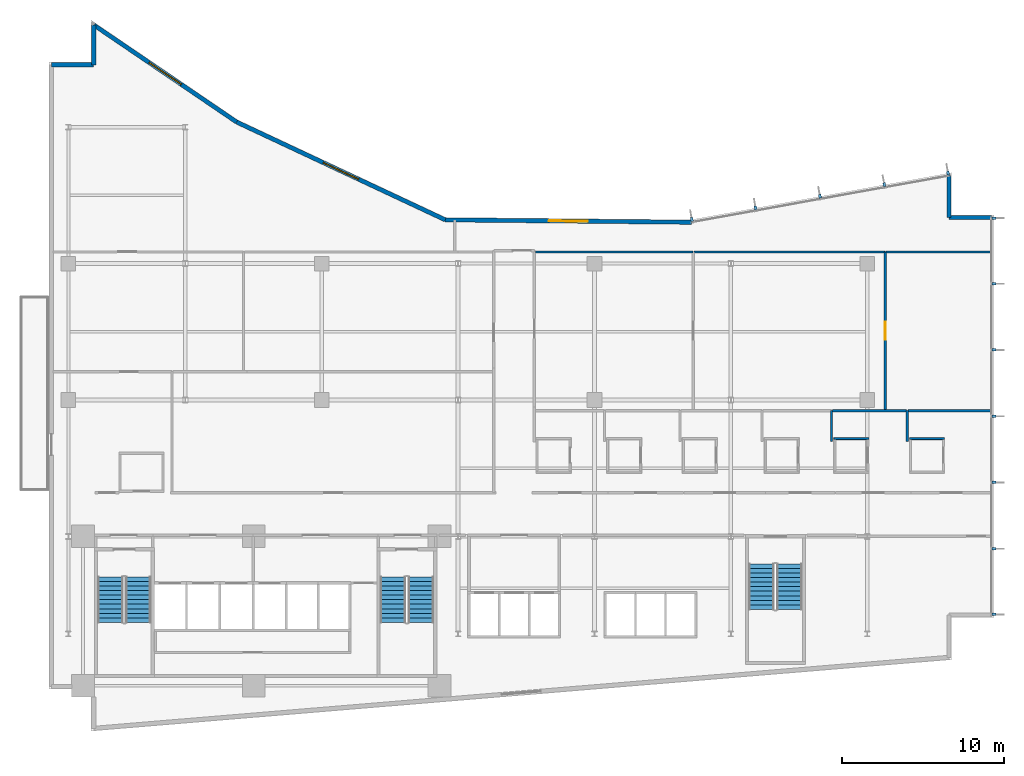
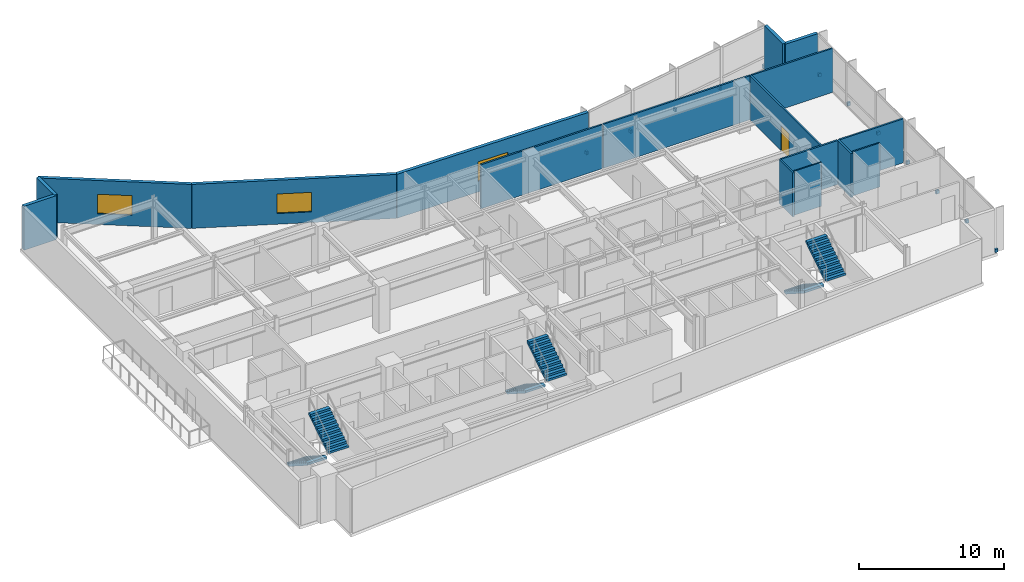
# One storey, part 15 of 19: 17 walls, 12 discrete accessories, 6 stair flights, 3 windows, 1 door, 4 openings, 3 elements without a shape of their own.
"""IFC4 building model written with IfcOpenShell, lengths in metres."""

from ifc_helpers import new_model, si_unit, direction, frame, frame_2d, origin, origin_2d, place, context, subcontext, project, spatial, polyline, rectangle, outline, extrude, material, layer, layer_set, type_object, element, fill, aggregate, save


model = new_model("IFC4")

# Units and contexts
model_context = context("Model", 3, precision=1e-05, world=origin(), true_north=direction((0.0, 1.0)))
body_context = subcontext(model_context, "Body", "Model", "MODEL_VIEW")
ifc_project = project(units=[si_unit("LENGTHUNIT", "METRE"), si_unit("AREAUNIT", "SQUARE_METRE"), si_unit("VOLUMEUNIT", "CUBIC_METRE"), si_unit("PLANEANGLEUNIT", "RADIAN"), si_unit("MASSUNIT", "GRAM", prefix="KILO")], contexts=[model_context])

# Site, building, storey
site_placement = place(None, origin())
site = spatial("IfcSite", under=ifc_project, at=site_placement, CompositionType="ELEMENT")
building_placement = place(site_placement, origin())
building = spatial("IfcBuilding", under=site, at=building_placement, Name="Varnakote Quay Hospital", CompositionType="ELEMENT")
storey_placement = place(building_placement, frame((0.0, 0.0, 85.699951171875)))
storey = spatial("IfcBuildingStorey", under=building, at=storey_placement, Name="L21", CompositionType="ELEMENT", Elevation=85.699951171875)

# Walls
ifc_material_1 = material(Name="Moisture-resistant bathroom partition", Category="gypsum")
ifc_layer_1 = layer(ifc_material_1, 0.114990234375)
ifc_layer_set_1 = layer_set([ifc_layer_1], Name="Moisture-resistant bathroom partition")
wall_type_1 = type_object("IfcWallType", Name="WL-ENS-115", PredefinedType="PARTITIONING", material=ifc_layer_set_1)
for number, where, z_axis, x_axis, name in (
    (1, (48.344970703125, 18.017578125, 0.0), (0.0, 0.0, 1.0), (1.0, 0.0, 0.0), "L21 Inpatient En-Suite Bathroom 05 N Wall"),
    (2, (53.0048828125, 18.017578125, 0.0), (0.0, 0.0, 1.0), (1.0, 0.0, 0.0), "L21 Inpatient En-Suite Bathroom 06 N Wall"),
):
    element("IfcWall", number, at=place(storey_placement, frame(where, z_axis=z_axis, x_axis=x_axis)), inside=storey, type_object=wall_type_1, Name=name, PredefinedType="PARTITIONING", context=body_context, shape_type="SweptSolid", body=[
        extrude(rectangle(XDim=2.150146484375, YDim=0.114990234375, at=frame_2d((1.0751953125, 0.0))), origin(), (0.0, 0.0, 1.0), 3.7099609375),
    ])
ifc_material_2 = material(Name="Precast concrete N50 (f'c 50 MPa)", Category="concrete")
ifc_layer_2 = layer(ifc_material_2, 0.260009765625)
ifc_layer_set_2 = layer_set([ifc_layer_2], Name="Precast concrete N50 (f'c 50 MPa)")
wall_type_2 = type_object("IfcWallType", Name="WL-EXT-BRICK-260", PredefinedType="STANDARD", material=ifc_layer_set_2)
wall_1_placement = place(storey_placement, frame((58.0400390625, 31.639892578125, 0.0), z_axis=(0.0, 0.0, 1.0), x_axis=(-1.0, 0.0, 0.0)))
element("IfcWall", 3, at=wall_1_placement, inside=storey, type_object=wall_type_2, Name="L21 Brick-Faced Precast Exterior Wall", PredefinedType="STANDARD", context=body_context, shape_type="SweptSolid", body=[
    extrude(rectangle(XDim=2.60009765625, YDim=0.260009765625, at=frame_2d((1.300048828125, 0.0))), origin(), (0.0, 0.0, 1.0), 3.7099609375),
])
wall_2_placement = place(storey_placement, frame((55.43994140625, 31.639892578125, 0.0), z_axis=(0.0, 0.0, 1.0), x_axis=(0.0, 1.0, 0.0)))
element("IfcWall", 4, at=wall_2_placement, inside=storey, type_object=wall_type_2, Name="L21 Brick-Faced Precast Exterior Wall", PredefinedType="STANDARD", context=body_context, shape_type="SweptSolid", body=[
    extrude(rectangle(XDim=2.568603515625, YDim=0.260009765625, at=frame_2d((1.2841796875, 0.0))), origin(), (0.0, 0.0, 1.0), 3.7099609375),
])

# Wall, opening, window
wall_3_placement = place(storey_placement, frame((39.589599609375, 31.343994140625, 0.0), z_axis=(0.0, 0.0, 1.0), x_axis=(-0.999952362926, 0.009760731435, 0.0)))
wall_3 = element("IfcWall", 5, at=wall_3_placement, inside=storey, type_object=wall_type_2, Name="L21 Brick-Faced Precast Exterior Wall", PredefinedType="STANDARD", context=body_context, shape_type="SweptSolid", body=[
    extrude(rectangle(XDim=15.1826171875, YDim=0.260009765625, at=frame_2d((7.59130859375, 0.0))), origin(), (0.0, 0.0, 1.0), 3.7099609375),
])
opening_1_placement = place(wall_3_placement, frame((6.391357421875, 0.0, 0.89990234375)))
opening_1 = element("IfcOpeningElement", 6, at=opening_1_placement, cuts=wall_3, Name="Opening WN-0099", PredefinedType="OPENING", context=body_context, shape_type="SweptSolid", body=[
    extrude(rectangle(XDim=2.39990234375, YDim=1.64990234375, at=frame_2d((1.199951171875, 0.824951171875))), frame((0.0, 0.139892578125, 0.0), z_axis=(0.0, -1.0, 0.0), x_axis=(1.0, 0.0, 0.0)), (0.0, 0.0, 1.0), 0.280029296875),
])
ifc_material_3 = material(Name="Double-glazed low-E solar glass", Category="glass")
window_type = type_object("IfcWindowType", Name="WIN-CLIN-2400x1650", PartitioningType="SINGLE_PANEL", PredefinedType="WINDOW", material=ifc_material_3)
window_1_placement = place(opening_1_placement, origin())
window_1 = element("IfcWindow", 7, at=window_1_placement, inside=storey, type_object=window_type, Name="L21 Solar-Control Clinical Window", OverallHeight=1.64990234375, OverallWidth=2.39990234375, PartitioningType="SINGLE_PANEL", PredefinedType="WINDOW", context=body_context, shape_type="SweptSolid", body=[
    extrude(rectangle(XDim=2.39990234375, YDim=1.64990234375, at=frame_2d((1.199951171875, 0.824951171875))), frame((0.0, 0.030029296875, 0.0), z_axis=(0.0, -1.0, 0.0), x_axis=(1.0, 0.0, 0.0)), (0.0, 0.0, 1.0), 0.06005859375),
])
fill(opening_1, window_1)

wall_4_placement = place(storey_placement, frame((24.40771484375, 31.4921875, 0.0), z_axis=(0.0, 0.0, 1.0), x_axis=(-0.905396522918, 0.424566998585, 0.0)))
wall_4 = element("IfcWall", 8, at=wall_4_placement, inside=storey, type_object=wall_type_2, Name="L21 Brick-Faced Precast Exterior Wall", PredefinedType="STANDARD", context=body_context, shape_type="SweptSolid", body=[
    extrude(rectangle(XDim=14.189453125, YDim=0.260009765625, at=frame_2d((7.0947265625, 0.0))), origin(), (0.0, 0.0, 1.0), 3.7099609375),
])
opening_2_placement = place(wall_4_placement, frame((5.894775390625, 0.0, 0.89990234375)))
opening_2 = element("IfcOpeningElement", 9, at=opening_2_placement, cuts=wall_4, Name="Opening WN-0100", PredefinedType="OPENING", context=body_context, shape_type="SweptSolid", body=[
    extrude(rectangle(XDim=2.39990234375, YDim=1.64990234375, at=frame_2d((1.199951171875, 0.824951171875))), frame((0.0, 0.139892578125, 0.0), z_axis=(0.0, -1.0, 0.0), x_axis=(1.0, 0.0, 0.0)), (0.0, 0.0, 1.0), 0.280029296875),
])
window_2_placement = place(opening_2_placement, origin())
window_2 = element("IfcWindow", 10, at=window_2_placement, inside=storey, type_object=window_type, Name="L21 Solar-Control Clinical Window", OverallHeight=1.64990234375, OverallWidth=2.39990234375, PartitioningType="SINGLE_PANEL", PredefinedType="WINDOW", context=body_context, shape_type="SweptSolid", body=[
    extrude(rectangle(XDim=2.39990234375, YDim=1.64990234375, at=frame_2d((1.199951171875, 0.824951171875))), frame((0.0, 0.030029296875, 0.0), z_axis=(0.0, -1.0, 0.0), x_axis=(1.0, 0.0, 0.0)), (0.0, 0.0, 1.0), 0.06005859375),
])
fill(opening_2, window_2)

wall_5_placement = place(storey_placement, frame((11.560546875, 37.5166015625, 0.0), z_axis=(0.0, 0.0, 1.0), x_axis=(-0.827064743936, 0.562106670782, 0.0)))
wall_5 = element("IfcWall", 11, at=wall_5_placement, inside=storey, type_object=wall_type_2, Name="L21 Brick-Faced Precast Exterior Wall", PredefinedType="STANDARD", context=body_context, shape_type="SweptSolid", body=[
    extrude(rectangle(XDim=10.640625, YDim=0.260009765625, at=frame_2d((5.3203125, 0.0))), origin(), (0.0, 0.0, 1.0), 3.7099609375),
])
opening_3_placement = place(wall_5_placement, frame((4.120361328125, 0.0, 0.89990234375)))
opening_3 = element("IfcOpeningElement", 12, at=opening_3_placement, cuts=wall_5, Name="Opening WN-0101", PredefinedType="OPENING", context=body_context, shape_type="SweptSolid", body=[
    extrude(rectangle(XDim=2.39990234375, YDim=1.64990234375, at=frame_2d((1.199951171875, 0.824951171875))), frame((0.0, 0.139892578125, 0.0), z_axis=(0.0, -1.0, 0.0), x_axis=(1.0, 0.0, 0.0)), (0.0, 0.0, 1.0), 0.280029296875),
])
window_3_placement = place(opening_3_placement, origin())
window_3 = element("IfcWindow", 13, at=window_3_placement, inside=storey, type_object=window_type, Name="L21 Solar-Control Clinical Window", OverallHeight=1.64990234375, OverallWidth=2.39990234375, PartitioningType="SINGLE_PANEL", PredefinedType="WINDOW", context=body_context, shape_type="SweptSolid", body=[
    extrude(rectangle(XDim=2.39990234375, YDim=1.64990234375, at=frame_2d((1.199951171875, 0.824951171875))), frame((0.0, 0.030029296875, 0.0), z_axis=(0.0, -1.0, 0.0), x_axis=(1.0, 0.0, 0.0)), (0.0, 0.0, 1.0), 0.06005859375),
])
fill(opening_3, window_3)

# Walls
wall_6_placement = place(storey_placement, frame((2.760009765625, 43.497802734375, 0.0), z_axis=(0.0, 0.0, 1.0), x_axis=(0.0, -1.0, 0.0)))
element("IfcWall", 14, at=wall_6_placement, inside=storey, type_object=wall_type_2, Name="L21 Brick-Faced Precast Exterior Wall", PredefinedType="STANDARD", context=body_context, shape_type="SweptSolid", body=[
    extrude(rectangle(XDim=2.457763671875, YDim=0.260009765625, at=frame_2d((1.22900390625, 0.0))), origin(), (0.0, 0.0, 1.0), 3.7099609375),
])
wall_7_placement = place(storey_placement, frame((2.760009765625, 41.0400390625, 0.0), z_axis=(0.0, 0.0, 1.0), x_axis=(-1.0, 0.0, 0.0)))
element("IfcWall", 15, at=wall_7_placement, inside=storey, type_object=wall_type_2, Name="L21 Brick-Faced Precast Exterior Wall", PredefinedType="STANDARD", context=body_context, shape_type="SweptSolid", body=[
    extrude(rectangle(XDim=2.60009765625, YDim=0.260009765625, at=frame_2d((1.300048828125, 0.0))), origin(), (0.0, 0.0, 1.0), 3.7099609375),
])
ifc_material_4 = material(Name="Smoke-proof clinical partition", Category="gypsum")
ifc_layer_3 = layer(ifc_material_4, 0.135009765625)
ifc_layer_set_3 = layer_set([ifc_layer_3], Name="Smoke-proof clinical partition")
wall_type_3 = type_object("IfcWallType", Name="WL-SMOKE-135", PredefinedType="PARTITIONING", material=ifc_layer_set_3)
for number, where, z_axis, x_axis, name in (
    (16, (48.199951171875, 17.83251953125, 0.0), (0.0, 0.0, 1.0), (0.0, 1.0, 0.0), "L21 Clinical Interior Partition"),
    (17, (52.860107421875, 17.83251953125, 0.0), (0.0, 0.0, 1.0), (0.0, 1.0, 0.0), "L21 Clinical Interior Partition"),
):
    element("IfcWall", number, at=place(storey_placement, frame(where, z_axis=z_axis, x_axis=x_axis)), inside=storey, type_object=wall_type_3, Name=name, PredefinedType="PARTITIONING", context=body_context, shape_type="SweptSolid", body=[
        extrude(rectangle(XDim=1.907470703125, YDim=0.135009765625, at=frame_2d((0.95361328125, 0.0))), origin(), (0.0, 0.0, 1.0), 3.7099609375),
    ])
wall_8_placement = place(storey_placement, frame((52.802490234375, 19.739990234375, 0.0), z_axis=(0.0, 0.0, 1.0), x_axis=(-1.0, 0.0, 0.0)))
element("IfcWall", 18, at=wall_8_placement, inside=storey, type_object=wall_type_3, Name="L21 Clinical Interior Partition", PredefinedType="PARTITIONING", context=body_context, shape_type="SweptSolid", body=[
    extrude(rectangle(XDim=4.544921875, YDim=0.135009765625, at=frame_2d((2.2724609375, 0.0))), origin(), (0.0, 0.0, 1.0), 3.7099609375),
])
wall_9_placement = place(storey_placement, frame((58.0400390625, 19.739990234375, 0.0), z_axis=(0.0, 0.0, 1.0), x_axis=(-1.0, 0.0, 0.0)))
element("IfcWall", 19, at=wall_9_placement, inside=storey, type_object=wall_type_3, Name="L21 Clinical Interior Partition", PredefinedType="PARTITIONING", context=body_context, shape_type="SweptSolid", body=[
    extrude(rectangle(XDim=5.12255859375, YDim=0.135009765625, at=frame_2d((2.561279296875, 0.0))), origin(), (0.0, 0.0, 1.0), 3.7099609375),
])
wall_10_placement = place(storey_placement, frame((39.679931640625, 29.52001953125, 0.0), z_axis=(0.0, 0.0, 1.0), x_axis=(-1.0, 0.0, 0.0)))
element("IfcWall", 20, at=wall_10_placement, inside=storey, type_object=wall_type_3, Name="L21 Clinical Interior Partition", PredefinedType="PARTITIONING", context=body_context, shape_type="SweptSolid", body=[
    extrude(rectangle(XDim=9.71484375, YDim=0.135009765625, at=frame_2d((4.857421875, 0.0))), origin(), (0.0, 0.0, 1.0), 3.7099609375),
])

# Wall, opening, door
wall_11_placement = place(storey_placement, frame((51.510009765625, 19.797607421875, 0.0), z_axis=(0.0, 0.0, 1.0), x_axis=(0.0, 1.0, 0.0)))
wall_11 = element("IfcWall", 21, at=wall_11_placement, inside=storey, type_object=wall_type_3, Name="L21 Clinical Interior Partition", PredefinedType="PARTITIONING", context=body_context, shape_type="SweptSolid", body=[
    extrude(rectangle(XDim=9.722412109375, YDim=0.135009765625, at=frame_2d((4.861328125, 0.0))), origin(), (0.0, 0.0, 1.0), 3.7099609375),
])
opening_4_placement = place(wall_11_placement, frame((4.311279296875, 0.0, 0.0)))
opening_4 = element("IfcOpeningElement", 22, at=opening_4_placement, cuts=wall_11, Name="Opening D-L21-MD05", PredefinedType="OPENING", context=body_context, shape_type="SweptSolid", body=[
    extrude(rectangle(XDim=1.10009765625, YDim=2.10009765625, at=frame_2d((0.550048828125, 1.050048828125))), frame((0.0, 0.077392578125, 0.0), z_axis=(0.0, -1.0, 0.0), x_axis=(1.0, 0.0, 0.0)), (0.0, 0.0, 1.0), 0.155029296875),
])
ifc_material_5 = material(Name="Acoustic timber clinical consult door", Category="wood")
door_type = type_object("IfcDoorType", Name="DR-CLIN-FD30S-1100x2100", OperationType="NOTDEFINED", PredefinedType="DOOR", material=ifc_material_5)
door_placement = place(opening_4_placement, origin())
door = element("IfcDoor", 23, at=door_placement, inside=storey, type_object=door_type, Name="L21 Outpatient Specialist Consult Office Door", OperationType="SINGLE_SWING_RIGHT", OverallHeight=2.10009765625, OverallWidth=1.10009765625, PredefinedType="DOOR", context=body_context, shape_type="SweptSolid", body=[
    extrude(rectangle(XDim=1.10009765625, YDim=2.10009765625, at=frame_2d((0.550048828125, 1.050048828125))), frame((0.0, 0.02490234375, 0.0), z_axis=(0.0, -1.0, 0.0), x_axis=(1.0, 0.0, 0.0)), (0.0, 0.0, 1.0), 0.050048828125),
])
fill(opening_4, door)

# Walls
wall_12_placement = place(storey_placement, frame((51.510009765625, 29.52001953125, 0.0), z_axis=(0.0, 0.0, 1.0), x_axis=(-1.0, 0.0, 0.0)))
element("IfcWall", 24, at=wall_12_placement, inside=storey, type_object=wall_type_3, Name="L21 Clinical Interior Partition", PredefinedType="PARTITIONING", context=body_context, shape_type="SweptSolid", body=[
    extrude(rectangle(XDim=11.7724609375, YDim=0.135009765625, at=frame_2d((5.88623046875, 0.0))), origin(), (0.0, 0.0, 1.0), 3.7099609375),
])
wall_13_placement = place(storey_placement, frame((58.0400390625, 29.52001953125, 0.0), z_axis=(0.0, 0.0, 1.0), x_axis=(-1.0, 0.0, 0.0)))
element("IfcWall", 25, at=wall_13_placement, inside=storey, type_object=wall_type_3, Name="L21 Clinical Interior Partition", PredefinedType="PARTITIONING", context=body_context, shape_type="SweptSolid", body=[
    extrude(rectangle(XDim=6.47265625, YDim=0.135009765625, at=frame_2d((3.236328125, 0.0))), origin(), (0.0, 0.0, 1.0), 3.7099609375),
])

# Stair, stair flights
ifc_material_6 = material(Name="Concrete N40 (f'c 40 MPa)", Category="concrete")
stair_type = type_object("IfcStairType", Name="STR-CORE-1580", PredefinedType="HALF_TURN_STAIR", material=ifc_material_6)
stair_1_placement = place(storey_placement, origin())
stair_1 = element("IfcStair", 26, at=stair_1_placement, inside=storey, type_object=stair_type, Name="L21 Fire-Isolated Exit Stair ST-01", PredefinedType="HALF_TURN_STAIR")
ifc_material_7 = material(Name="Concrete N40 (f'c 40 MPa)", Category="concrete")
ifc_layer_4 = layer(ifc_material_7, 0.159912109375)
ifc_layer_set_4 = layer_set([ifc_layer_4], Name="Concrete N40 (f'c 40 MPa)")
stair_flight_type = type_object("IfcStairFlightType", Name="FLT-CORE-1580", PredefinedType="STRAIGHT", material=ifc_layer_set_4)
stair_flight_1_placement = place(storey_placement, frame((3.7900390625, 9.5, 0.0), z_axis=(0.0, 0.0, 1.0), x_axis=(0.0, -1.0, 0.0)))
stair_flight_1 = element("IfcStairFlight", 27, at=stair_flight_1_placement, type_object=stair_flight_type, Name="ST-01 flight 1", NumberOfRisers=11, NumberOfTreads=10, PredefinedType="STRAIGHT", RiserHeight=0.179545455, TreadLength=0.28, context=body_context, shape_type="SweptSolid", body=[
    extrude(outline(polyline([(0.0, 0.0), (0.0, 0.179443359375), (0.280029296875, 0.179443359375), (0.280029296875, 0.359130859375), (0.56005859375, 0.359130859375), (0.56005859375, 0.53857421875), (0.840087890625, 0.53857421875), (0.840087890625, 0.71826171875), (1.1201171875, 0.71826171875), (1.1201171875, 0.897705078125), (1.39990234375, 0.897705078125), (1.39990234375, 1.077392578125), (1.679931640625, 1.077392578125), (1.679931640625, 1.2568359375), (1.9599609375, 1.2568359375), (1.9599609375, 1.436279296875), (2.239990234375, 1.436279296875), (2.239990234375, 1.615966796875), (2.52001953125, 1.615966796875), (2.52001953125, 1.79541015625), (2.800048828125, 1.79541015625), (2.800048828125, 1.97509765625), (2.800048828125, 1.60546875), (0.296142578125, 0.0), (0.0, 0.0)])), frame((0.0, 0.7900390625, 0.0), z_axis=(0.0, -1.0, 0.0), x_axis=(1.0, 0.0, 0.0)), (0.0, 0.0, 1.0), 1.580078125),
])
stair_flight_2_placement = place(storey_placement, frame((5.510009765625, 6.699951171875, 1.97509765625), z_axis=(0.0, 0.0, 1.0), x_axis=(0.0, 1.0, 0.0)))
stair_flight_2 = element("IfcStairFlight", 28, at=stair_flight_2_placement, type_object=stair_flight_type, Name="ST-01 flight 2", NumberOfRisers=11, NumberOfTreads=10, PredefinedType="STRAIGHT", RiserHeight=0.179545455, TreadLength=0.28, context=body_context, shape_type="SweptSolid", body=[
    extrude(outline(polyline([(0.0, 0.0), (0.0, 0.179443359375), (0.280029296875, 0.179443359375), (0.280029296875, 0.359130859375), (0.56005859375, 0.359130859375), (0.56005859375, 0.53857421875), (0.840087890625, 0.53857421875), (0.840087890625, 0.71826171875), (1.1201171875, 0.71826171875), (1.1201171875, 0.897705078125), (1.39990234375, 0.897705078125), (1.39990234375, 1.077392578125), (1.679931640625, 1.077392578125), (1.679931640625, 1.2568359375), (1.9599609375, 1.2568359375), (1.9599609375, 1.436279296875), (2.239990234375, 1.436279296875), (2.239990234375, 1.615966796875), (2.52001953125, 1.615966796875), (2.52001953125, 1.79541015625), (2.800048828125, 1.79541015625), (2.800048828125, 1.97509765625), (2.800048828125, 1.60546875), (0.296142578125, 0.0), (0.0, 0.0)])), frame((0.0, 0.7900390625, 0.0), z_axis=(0.0, -1.0, 0.0), x_axis=(1.0, 0.0, 0.0)), (0.0, 0.0, 1.0), 1.580078125),
])
aggregate(stair_1, [stair_flight_1, stair_flight_2])

stair_2_placement = place(storey_placement, origin())
stair_2 = element("IfcStair", 29, at=stair_2_placement, inside=storey, type_object=stair_type, Name="L21 Fire-Isolated Exit Stair ST-02", PredefinedType="HALF_TURN_STAIR")
stair_flight_3_placement = place(storey_placement, frame((21.18994140625, 9.5, 0.0), z_axis=(0.0, 0.0, 1.0), x_axis=(0.0, -1.0, 0.0)))
stair_flight_3 = element("IfcStairFlight", 30, at=stair_flight_3_placement, type_object=stair_flight_type, Name="ST-02 flight 1", NumberOfRisers=11, NumberOfTreads=10, PredefinedType="STRAIGHT", RiserHeight=0.179545455, TreadLength=0.28, context=body_context, shape_type="SweptSolid", body=[
    extrude(outline(polyline([(0.0, 0.0), (0.0, 0.179443359375), (0.280029296875, 0.179443359375), (0.280029296875, 0.359130859375), (0.56005859375, 0.359130859375), (0.56005859375, 0.53857421875), (0.840087890625, 0.53857421875), (0.840087890625, 0.71826171875), (1.1201171875, 0.71826171875), (1.1201171875, 0.897705078125), (1.39990234375, 0.897705078125), (1.39990234375, 1.077392578125), (1.679931640625, 1.077392578125), (1.679931640625, 1.2568359375), (1.9599609375, 1.2568359375), (1.9599609375, 1.436279296875), (2.239990234375, 1.436279296875), (2.239990234375, 1.615966796875), (2.52001953125, 1.615966796875), (2.52001953125, 1.79541015625), (2.800048828125, 1.79541015625), (2.800048828125, 1.97509765625), (2.800048828125, 1.60546875), (0.296142578125, 0.0), (0.0, 0.0)])), frame((0.0, 0.7900390625, 0.0), z_axis=(0.0, -1.0, 0.0), x_axis=(1.0, 0.0, 0.0)), (0.0, 0.0, 1.0), 1.580078125),
])
stair_flight_4_placement = place(storey_placement, frame((22.909912109375, 6.699951171875, 1.97509765625), z_axis=(0.0, 0.0, 1.0), x_axis=(0.0, 1.0, 0.0)))
stair_flight_4 = element("IfcStairFlight", 31, at=stair_flight_4_placement, type_object=stair_flight_type, Name="ST-02 flight 2", NumberOfRisers=11, NumberOfTreads=10, PredefinedType="STRAIGHT", RiserHeight=0.179545455, TreadLength=0.28, context=body_context, shape_type="SweptSolid", body=[
    extrude(outline(polyline([(0.0, 0.0), (0.0, 0.179443359375), (0.280029296875, 0.179443359375), (0.280029296875, 0.359130859375), (0.56005859375, 0.359130859375), (0.56005859375, 0.53857421875), (0.840087890625, 0.53857421875), (0.840087890625, 0.71826171875), (1.1201171875, 0.71826171875), (1.1201171875, 0.897705078125), (1.39990234375, 0.897705078125), (1.39990234375, 1.077392578125), (1.679931640625, 1.077392578125), (1.679931640625, 1.2568359375), (1.9599609375, 1.2568359375), (1.9599609375, 1.436279296875), (2.239990234375, 1.436279296875), (2.239990234375, 1.615966796875), (2.52001953125, 1.615966796875), (2.52001953125, 1.79541015625), (2.800048828125, 1.79541015625), (2.800048828125, 1.97509765625), (2.800048828125, 1.60546875), (0.296142578125, 0.0), (0.0, 0.0)])), frame((0.0, 0.7900390625, 0.0), z_axis=(0.0, -1.0, 0.0), x_axis=(1.0, 0.0, 0.0)), (0.0, 0.0, 1.0), 1.580078125),
])
aggregate(stair_2, [stair_flight_3, stair_flight_4])

stair_3_placement = place(storey_placement, origin())
stair_3 = element("IfcStair", 32, at=stair_3_placement, inside=storey, type_object=stair_type, Name="L21 Fire-Isolated Exit Stair ST-03", PredefinedType="HALF_TURN_STAIR")
stair_flight_5_placement = place(storey_placement, frame((43.889892578125, 10.300048828125, 0.0), z_axis=(0.0, 0.0, 1.0), x_axis=(0.0, -1.0, 0.0)))
stair_flight_5 = element("IfcStairFlight", 33, at=stair_flight_5_placement, type_object=stair_flight_type, Name="ST-03 flight 1", NumberOfRisers=11, NumberOfTreads=10, PredefinedType="STRAIGHT", RiserHeight=0.179545455, TreadLength=0.28, context=body_context, shape_type="SweptSolid", body=[
    extrude(outline(polyline([(0.0, 0.0), (0.0, 0.179443359375), (0.280029296875, 0.179443359375), (0.280029296875, 0.359130859375), (0.56005859375, 0.359130859375), (0.56005859375, 0.53857421875), (0.840087890625, 0.53857421875), (0.840087890625, 0.71826171875), (1.1201171875, 0.71826171875), (1.1201171875, 0.897705078125), (1.39990234375, 0.897705078125), (1.39990234375, 1.077392578125), (1.679931640625, 1.077392578125), (1.679931640625, 1.2568359375), (1.9599609375, 1.2568359375), (1.9599609375, 1.436279296875), (2.239990234375, 1.436279296875), (2.239990234375, 1.615966796875), (2.52001953125, 1.615966796875), (2.52001953125, 1.79541015625), (2.800048828125, 1.79541015625), (2.800048828125, 1.97509765625), (2.800048828125, 1.60546875), (0.296142578125, 0.0), (0.0, 0.0)])), frame((0.0, 0.7900390625, 0.0), z_axis=(0.0, -1.0, 0.0), x_axis=(1.0, 0.0, 0.0)), (0.0, 0.0, 1.0), 1.580078125),
])
stair_flight_6_placement = place(storey_placement, frame((45.610107421875, 7.5, 1.97509765625), z_axis=(0.0, 0.0, 1.0), x_axis=(0.0, 1.0, 0.0)))
stair_flight_6 = element("IfcStairFlight", 34, at=stair_flight_6_placement, type_object=stair_flight_type, Name="ST-03 flight 2", NumberOfRisers=11, NumberOfTreads=10, PredefinedType="STRAIGHT", RiserHeight=0.179545455, TreadLength=0.28, context=body_context, shape_type="SweptSolid", body=[
    extrude(outline(polyline([(0.0, 0.0), (0.0, 0.179443359375), (0.280029296875, 0.179443359375), (0.280029296875, 0.359130859375), (0.56005859375, 0.359130859375), (0.56005859375, 0.53857421875), (0.840087890625, 0.53857421875), (0.840087890625, 0.71826171875), (1.1201171875, 0.71826171875), (1.1201171875, 0.897705078125), (1.39990234375, 0.897705078125), (1.39990234375, 1.077392578125), (1.679931640625, 1.077392578125), (1.679931640625, 1.2568359375), (1.9599609375, 1.2568359375), (1.9599609375, 1.436279296875), (2.239990234375, 1.436279296875), (2.239990234375, 1.615966796875), (2.52001953125, 1.615966796875), (2.52001953125, 1.79541015625), (2.800048828125, 1.79541015625), (2.800048828125, 1.97509765625), (2.800048828125, 1.60546875), (0.296142578125, 0.0), (0.0, 0.0)])), frame((0.0, 0.7900390625, 0.0), z_axis=(0.0, -1.0, 0.0), x_axis=(1.0, 0.0, 0.0)), (0.0, 0.0, 1.0), 1.580078125),
])
aggregate(stair_3, [stair_flight_5, stair_flight_6])

# Discrete accessories
ifc_material_8 = material(Name="Anodised aluminium 6063-T6 Bronze", Category="aluminium")
discrete_accessory_type = type_object("IfcDiscreteAccessoryType", Name="ACC-FIN-BRACKET-180", PredefinedType="BRACKET", material=ifc_material_8)
for number, where, z_axis, x_axis, name in (
    (35, (58.2099609375, 7.197509765625, 0.0), (0.0, 0.0, 1.0), (0.0, 1.0, 0.0), "L21 Curtain Wall Fin Fixing Bracket"),
    (36, (58.2099609375, 11.239990234375, 0.0), (0.0, 0.0, 1.0), (0.0, 1.0, 0.0), "L21 Curtain Wall Fin Fixing Bracket"),
    (37, (58.2099609375, 15.320068359375, 0.0), (0.0, 0.0, 1.0), (0.0, 1.0, 0.0), "L21 Curtain Wall Fin Fixing Bracket"),
    (38, (58.2099609375, 19.39990234375, 0.0), (0.0, 0.0, 1.0), (0.0, 1.0, 0.0), "L21 Curtain Wall Fin Fixing Bracket"),
    (39, (58.2099609375, 23.47998046875, 0.0), (0.0, 0.0, 1.0), (0.0, 1.0, 0.0), "L21 Curtain Wall Fin Fixing Bracket"),
    (40, (58.2099609375, 27.56005859375, 0.0), (0.0, 0.0, 1.0), (0.0, 1.0, 0.0), "L21 Curtain Wall Fin Fixing Bracket"),
    (41, (58.2099609375, 31.6025390625, 0.0), (0.0, 0.0, 1.0), (0.0, 1.0, 0.0), "L21 Curtain Wall Fin Fixing Bracket"),
    (42, (55.372802734375, 34.369140625, 0.0), (0.0, 0.0, 1.0), (-0.984071739666, -0.177771795263, 0.0), "L21 Curtain Wall Fin Fixing Bracket"),
    (43, (51.447265625, 33.65966796875, 0.0), (0.0, 0.0, 1.0), (-0.984071739666, -0.177771795263, 0.0), "L21 Curtain Wall Fin Fixing Bracket"),
    (44, (47.484619140625, 32.943603515625, 0.0), (0.0, 0.0, 1.0), (-0.984071739666, -0.177771795263, 0.0), "L21 Curtain Wall Fin Fixing Bracket"),
    (45, (43.52197265625, 32.227294921875, 0.0), (0.0, 0.0, 1.0), (-0.984071739666, -0.177771795263, 0.0), "L21 Curtain Wall Fin Fixing Bracket"),
    (46, (39.59619140625, 31.517822265625, 0.0), (0.0, 0.0, 1.0), (-0.984071739666, -0.177771795263, 0.0), "L21 Curtain Wall Fin Fixing Bracket"),
):
    element("IfcDiscreteAccessory", number, at=place(storey_placement, frame(where, z_axis=z_axis, x_axis=x_axis)), inside=storey, type_object=discrete_accessory_type, Name=name, PredefinedType="BRACKET", context=body_context, shape_type="SweptSolid", body=[
        extrude(rectangle(XDim=0.159912109375, YDim=0.239990234375, at=origin_2d()), origin(), (0.0, 0.0, 1.0), 0.280029296875),
    ])

save(model, "model.ifc")
